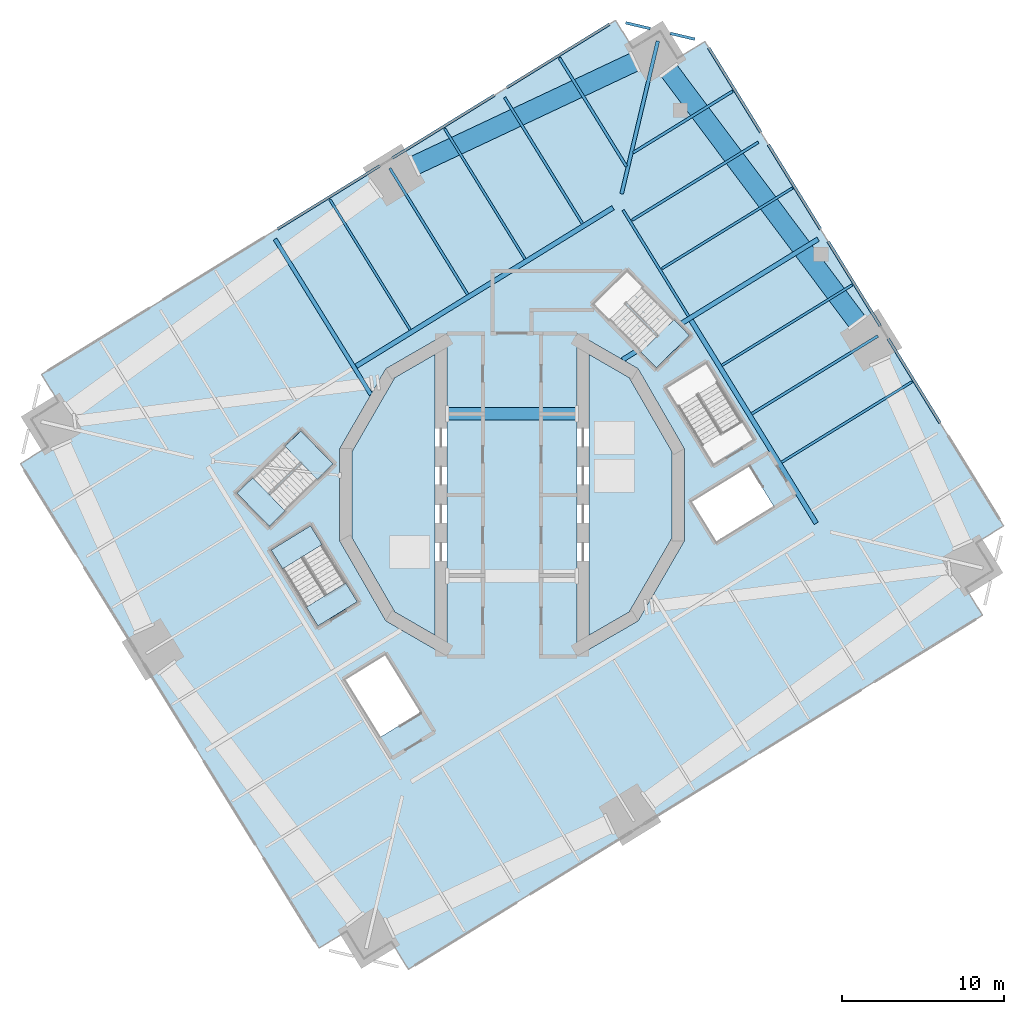
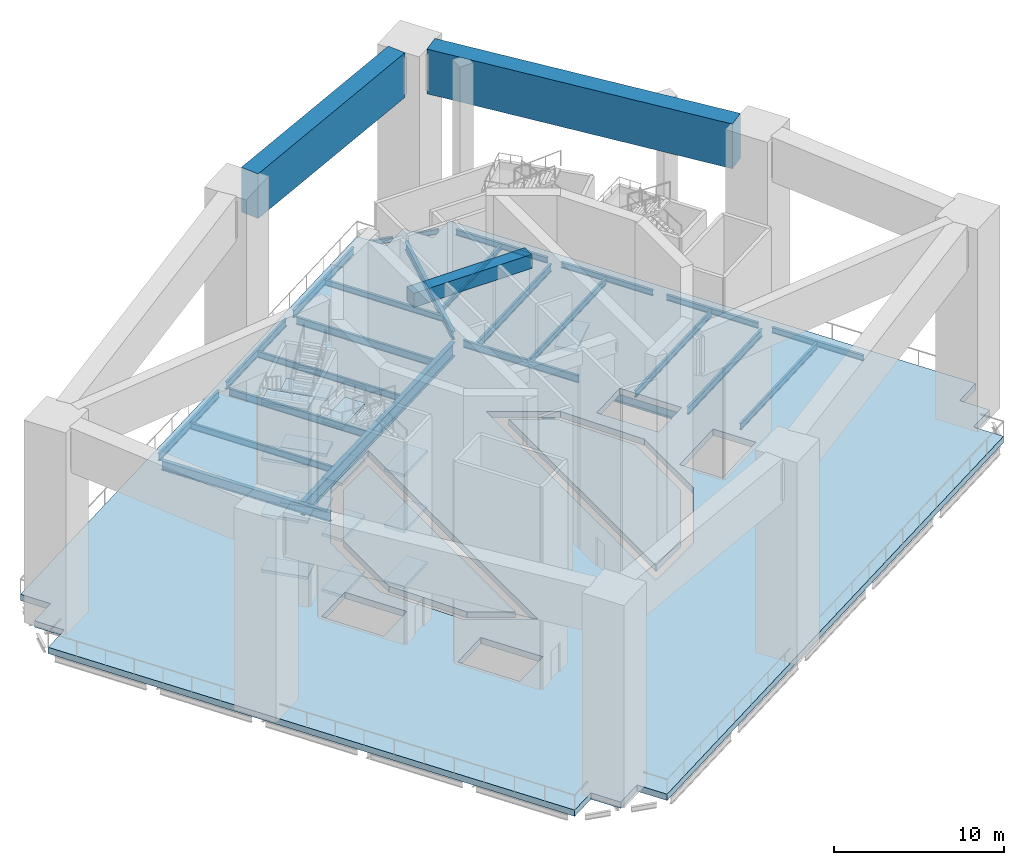
# One storey, part 2 of 15: 29 beams, 18 slabs, 3 elements without a shape of their own.
"""IFC4 building model written with IfcOpenShell, lengths in metres."""

import ifcopenshell
import ifcopenshell.guid

model = None  # the IFC model being written
_history = None  # IfcOwnerHistory: only IFC2X3 demands one
_inside = {}  # id of a spatial element -> (the spatial element, [elements in it])
_under = {}  # id of a project, library or spatial element -> (it, [spatial elements below it])
_declared = {}  # id of a project -> (the project, [libraries it declares])
_typed = {}  # id of a type object -> (the type object, [elements of that type])
_made_of = {}  # id of a material, layer set ... -> (it, [elements and type objects made of it])


def new_model(schema):
    """Start an empty IFC model of exactly this schema.

    Asked for "IFC4X3", IfcOpenShell would pick the latest addendum, in which some entities
    have other attributes; the version numbers below select the first issue.
    IFC2X3 requires an IfcOwnerHistory on every rooted entity: one is made here for all.
    """
    global model, _history
    if schema == "IFC4X3":
        model = ifcopenshell.file(schema_version=(4, 3, 0, 0))
    else:
        model = ifcopenshell.file(schema=schema)
    _inside.clear()
    _under.clear()
    _declared.clear()
    _typed.clear()
    _made_of.clear()
    _history = None
    if model.schema == "IFC2X3":
        org = make("IfcOrganization", Name="unknown")
        user = make(
            "IfcPersonAndOrganization",
            ThePerson=make("IfcPerson", FamilyName="unknown"),
            TheOrganization=org,
        )
        app = make(
            "IfcApplication",
            ApplicationDeveloper=org,
            Version="unknown",
            ApplicationFullName="unknown",
            ApplicationIdentifier="unknown",
        )
        _history = make(
            "IfcOwnerHistory",
            OwningUser=user,
            OwningApplication=app,
            ChangeAction="ADDED",
            CreationDate=0,
        )
    return model


def make(cls, **values):
    """One entity of the class cls with the attributes given. An attribute that is None is left unset."""
    return model.create_entity(
        cls, **{name: value for name, value in values.items() if value is not None}
    )


def rooted(cls, **values):
    """An entity with a GlobalId (a new one), such as an element, a storey or a relation."""
    return make(cls, GlobalId=ifcopenshell.guid.new(), OwnerHistory=_history, **values)


def si_unit(unit_type, name, prefix=None):
    """IfcSIUnit, for example si_unit("LENGTHUNIT", "METRE", prefix="MILLI")."""
    return make("IfcSIUnit", UnitType=unit_type, Prefix=prefix, Name=name)


def assignment(units):
    """IfcUnitAssignment: the units of a project."""
    return None if units is None else make("IfcUnitAssignment", Units=units)


def point(xyz):
    """IfcCartesianPoint."""
    return None if xyz is None else make("IfcCartesianPoint", Coordinates=xyz)


def direction(xyz):
    """IfcDirection."""
    return None if xyz is None else make("IfcDirection", DirectionRatios=xyz)


def frame(location, z_axis=None, x_axis=None):
    """IfcAxis2Placement3D, a coordinate frame: its origin and axes. An axis left out is left unset."""
    return make(
        "IfcAxis2Placement3D",
        Location=point(location),
        Axis=direction(z_axis),
        RefDirection=direction(x_axis),
    )


def frame_2d(location, x_axis=None):
    """IfcAxis2Placement2D, a coordinate frame in the plane: its origin and x axis."""
    return make(
        "IfcAxis2Placement2D", Location=point(location), RefDirection=direction(x_axis)
    )


def origin():
    """The frame at (0, 0, 0) with its axes left unset."""
    return frame((0.0, 0.0, 0.0))


def origin_2d():
    """The frame at (0, 0) in the plane with its x axis left unset."""
    return frame_2d((0.0, 0.0))


def place(relative_to, where):
    """IfcLocalPlacement: puts the frame where relative to a parent placement (None: the world)."""
    return make(
        "IfcLocalPlacement", PlacementRelTo=relative_to, RelativePlacement=where
    )


def context(
    kind, dimensions, precision=None, world=None, true_north=None, identifier=None
):
    """IfcGeometricRepresentationContext, for example the 3D "Model" context."""
    return make(
        "IfcGeometricRepresentationContext",
        ContextIdentifier=identifier,
        ContextType=kind,
        CoordinateSpaceDimension=dimensions,
        Precision=precision,
        WorldCoordinateSystem=world,
        TrueNorth=true_north,
    )


def subcontext(parent, identifier, kind, view, scale=None):
    """IfcGeometricRepresentationSubContext, for example "Body" below "Model"."""
    return make(
        "IfcGeometricRepresentationSubContext",
        ContextIdentifier=identifier,
        ContextType=kind,
        ParentContext=parent,
        TargetScale=scale,
        TargetView=view,
    )


def project(units=None, contexts=None):
    """IfcProject with its units and contexts."""
    return rooted(
        "IfcProject",
        Name="project",
        RepresentationContexts=contexts,
        UnitsInContext=assignment(units),
    )


def spatial(cls, under=None, at=None, **own):
    """A site, building, storey or space (cls), placed at a placement, below another one or the project."""
    s = rooted(cls, ObjectPlacement=at, **own)
    if under is not None:
        _under.setdefault(under.id(), (under, []))[1].append(s)
    return s


def polyline(points):
    """IfcPolyline through the points."""
    return make("IfcPolyline", Points=[point(p) for p in points])


def profile(cls, at=None, kind="AREA", **sizes):
    """A parametric profile (cls). Its sizes go by their IFC names, for example OverallWidth=200.0."""
    return make(cls, ProfileType=kind, Position=at, **sizes)


def rectangle(**sizes):
    """IfcRectangleProfileDef."""
    return profile("IfcRectangleProfileDef", **sizes)


def i_section(**sizes):
    """IfcIShapeProfileDef."""
    return profile("IfcIShapeProfileDef", **sizes)


def outline(outer, holes=None, kind="AREA"):
    """IfcArbitraryClosedProfileDef: a profile drawn as a closed curve; with holes, ...WithVoids."""
    if holes is None:
        return make("IfcArbitraryClosedProfileDef", ProfileType=kind, OuterCurve=outer)
    return make(
        "IfcArbitraryProfileDefWithVoids",
        ProfileType=kind,
        OuterCurve=outer,
        InnerCurves=holes,
    )


def extrude(swept, where, along, depth):
    """IfcExtrudedAreaSolid: the profile swept, set in the frame where, extruded along a direction by depth."""
    return make(
        "IfcExtrudedAreaSolid",
        SweptArea=swept,
        Position=where,
        ExtrudedDirection=direction(along),
        Depth=depth,
    )


def shape(context_of_items, identifier, shape_type, items):
    """IfcShapeRepresentation: the items that make up one representation, for example the "Body"."""
    return make(
        "IfcShapeRepresentation",
        ContextOfItems=context_of_items,
        RepresentationIdentifier=identifier,
        RepresentationType=shape_type,
        Items=items,
    )


def material(Name=None, Category=None):
    """IfcMaterial."""
    return make("IfcMaterial", Name=Name, Category=Category)


def layer(
    of_material, thickness, ventilated=None, Name=None, Category=None, Priority=None
):
    """IfcMaterialLayer: one layer of a wall or slab, of a material (None: an air gap)."""
    return make(
        "IfcMaterialLayer",
        Material=of_material,
        LayerThickness=thickness,
        IsVentilated=ventilated,
        Name=Name,
        Category=Category,
        Priority=Priority,
    )


def layer_set(layers, Name=None):
    """IfcMaterialLayerSet."""
    return make("IfcMaterialLayerSet", MaterialLayers=layers, LayerSetName=Name)


def material_profile(
    of_material, cross_section, Name=None, Category=None, Priority=None
):
    """IfcMaterialProfile: a cross section and its material."""
    return make(
        "IfcMaterialProfile",
        Name=Name,
        Material=of_material,
        Profile=cross_section,
        Priority=Priority,
        Category=Category,
    )


def profile_set(profiles, Name=None, composite=None):
    """IfcMaterialProfileSet."""
    return make(
        "IfcMaterialProfileSet",
        Name=Name,
        MaterialProfiles=profiles,
        CompositeProfile=composite,
    )


def made_of(thing, what):
    """Note that an element or type object is made of a material, layer set ...; save() writes the relation."""
    if what is not None:
        _made_of.setdefault(what.id(), (what, []))[1].append(thing)
    return thing


def type_object(cls, material=None, **own):
    """A type object (cls), such as IfcWallType, which elements share."""
    return made_of(rooted(cls, **own), material)


def element(
    cls,
    number,
    at=None,
    inside=None,
    cuts=None,
    type_object=None,
    material=None,
    context=None,
    identifier="Body",
    shape_type=None,
    held_by="IfcProductDefinitionShape",
    body=None,
    shapes=None,
    **own,
):
    """One element of the class cls, such as IfcWall. Its Tag is "e" and its number.

    at: its placement. inside: the storey or other place that contains it. cuts: it is an
    opening in that element (IfcRelVoidsElement). A single representation is given by context,
    identifier, shape_type and body (its items); several are given by shapes. held_by: the class
    of the entity that holds the representations. save() writes the other relations.
    """
    e = rooted(cls, Tag="e%d" % number, ObjectPlacement=at, **own)
    if body is not None:
        shapes = [shape(context, identifier, shape_type, body)]
    if shapes is not None:
        e.Representation = make(held_by, Representations=shapes)
    if inside is not None:
        _inside.setdefault(inside.id(), (inside, []))[1].append(e)
    if cuts is not None:
        rooted(
            "IfcRelVoidsElement", RelatingBuildingElement=cuts, RelatedOpeningElement=e
        )
    if type_object is not None:
        _typed.setdefault(type_object.id(), (type_object, []))[1].append(e)
    return made_of(e, material)


def aggregate(whole, parts):
    """IfcRelAggregates: a whole, such as a stair, and the parts it consists of."""
    return rooted("IfcRelAggregates", RelatingObject=whole, RelatedObjects=parts)


def save(model, path):
    """Write the relations noted so far, then the file.

    IfcRelAggregates (storeys below a building ...), IfcRelContainedInSpatialStructure (elements
    in a storey), IfcRelDefinesByType, IfcRelAssociatesMaterial and IfcRelDeclares: one each for
    every whole, place, type object, material and project.
    """
    for whole, parts in _under.values():
        aggregate(whole, parts)
    for where, things in _inside.values():
        rooted(
            "IfcRelContainedInSpatialStructure",
            RelatedElements=things,
            RelatingStructure=where,
        )
    for kind, things in _typed.values():
        rooted("IfcRelDefinesByType", RelatedObjects=things, RelatingType=kind)
    for what, things in _made_of.values():
        rooted("IfcRelAssociatesMaterial", RelatedObjects=things, RelatingMaterial=what)
    for by, libraries in _declared.values():
        rooted("IfcRelDeclares", RelatingContext=by, RelatedDefinitions=libraries)
    model.write(path)


model = new_model("IFC4")

# Units and contexts
model_context = context("Model", 3, precision=1e-05, world=origin(), true_north=direction((0.0, 1.0)))
body_context = subcontext(model_context, "Body", "Model", "MODEL_VIEW")
ifc_project = project(units=[si_unit("LENGTHUNIT", "METRE"), si_unit("AREAUNIT", "SQUARE_METRE"), si_unit("VOLUMEUNIT", "CUBIC_METRE"), si_unit("PLANEANGLEUNIT", "RADIAN"), si_unit("MASSUNIT", "GRAM", prefix="KILO")], contexts=[model_context])

# Site, building, storey
site_placement = place(None, origin())
site = spatial("IfcSite", under=ifc_project, at=site_placement, CompositionType="ELEMENT")
building_placement = place(site_placement, origin())
building = spatial("IfcBuilding", under=site, at=building_placement, Name="Cantera Rosa Tower", CompositionType="ELEMENT")
storey_placement = place(building_placement, frame((0.0, 0.0, 189.39990234375)))
storey = spatial("IfcBuildingStorey", under=building, at=storey_placement, Name="L42", CompositionType="ELEMENT", Elevation=189.39990234375)

# Beams
ifc_material_1 = material(Name="Concrete C60/75", Category="concrete")
ifc_material_profile_1 = material_profile(ifc_material_1, rectangle(XDim=0.800048828125, YDim=1.0, at=origin_2d()), Name="RC COUPLING BEAM RC800X1000 C60/75")
ifc_profile_set_1 = profile_set([ifc_material_profile_1], Name="Concrete C60/75")
beam_type_1 = type_object("IfcBeamType", Name="RC COUPLING BEAM RC800X1000 C60/75", PredefinedType="BEAM", material=ifc_profile_set_1)
beam_1_placement = place(storey_placement, frame((-4.0, 5.0, 14.0), z_axis=(1.0, 0.0, 0.0), x_axis=(0.0, 1.0, 0.0)))
element("IfcBeam", 1, at=beam_1_placement, inside=storey, type_object=beam_type_1, Name="CPL-L42-2", PredefinedType="BEAM", context=body_context, shape_type="SweptSolid", body=[
    extrude(rectangle(XDim=0.800048828125, YDim=1.0, at=origin_2d()), origin(), (0.0, 0.0, 1.0), 8.0),
])
ifc_material_2 = material(Name="Concrete C70/85", Category="concrete")
ifc_material_profile_2 = material_profile(ifc_material_2, rectangle(XDim=1.199951171875, YDim=3.199951171875, at=origin_2d()), Name="RC PORTAL TRANSFER GIRDER RC1200X3200 C70/85")
ifc_profile_set_2 = profile_set([ifc_material_profile_2], Name="Concrete C70/85")
beam_type_2 = type_object("IfcBeamType", Name="RC PORTAL TRANSFER GIRDER RC1200X3200 C70/85", PredefinedType="BEAM", material=ifc_profile_set_2)
beam_2_placement = place(storey_placement, frame((21.33251953125, 10.61376953125, 12.900146484375), z_axis=(-0.599525141949, 0.800355923431, 0.0), x_axis=(-0.800355923431, -0.599525141949, 0.0)))
element("IfcBeam", 2, at=beam_2_placement, inside=storey, type_object=beam_type_2, Name="PGB-L42-5", PredefinedType="BEAM", context=body_context, shape_type="SweptSolid", body=[
    extrude(rectangle(XDim=1.199951171875, YDim=3.199951171875, at=origin_2d()), origin(), (0.0, 0.0, 1.0), 19.500244140625),
])
beam_3_placement = place(storey_placement, frame((7.611083984375, 26.726318359375, 12.900146484375), z_axis=(-0.904706200569, -0.426036020369, 0.0), x_axis=(0.426036020369, -0.904706200569, 0.0)))
element("IfcBeam", 3, at=beam_3_placement, inside=storey, type_object=beam_type_2, Name="PGB-L42-6", PredefinedType="BEAM", context=body_context, shape_type="SweptSolid", body=[
    extrude(rectangle(XDim=1.199951171875, YDim=3.199951171875, at=origin_2d()), origin(), (0.0, 0.0, 1.0), 15.102783203125),
])
ifc_material_3 = material(Name="Steel ASTM A992 (Fy 345 MPa)", Category="steel")
ifc_material_profile_3 = material_profile(ifc_material_3, i_section(OverallWidth=0.300048828125, OverallDepth=0.990966796875, WebThickness=0.0166015625, FlangeThickness=0.030517578125, FilletRadius=0.030029296875, at=origin_2d()), Name="W1000X272")
ifc_profile_set_3 = profile_set([ifc_material_profile_3], Name="Steel ASTM A992 (Fy 345 MPa)")
beam_type_3 = type_object("IfcBeamType", Name="STEEL BEAM W1000X272", PredefinedType="BEAM", material=ifc_profile_set_3)
beam_4_placement = place(storey_placement, frame((18.767822265625, -1.75927734375, -0.9453125), z_axis=(-0.524974072618, 0.851118219215, 0.0), x_axis=(-0.851118219215, -0.524974072618, 0.0)))
element("IfcBeam", 4, at=beam_4_placement, inside=storey, type_object=beam_type_3, Name="RB-Z3-05 L42", PredefinedType="BEAM", context=body_context, shape_type="SweptSolid", body=[
    extrude(i_section(OverallWidth=0.300048828125, OverallDepth=0.990966796875, WebThickness=0.0166015625, FlangeThickness=0.030517578125, FilletRadius=0.030029296875, at=origin_2d()), origin(), (0.0, 0.0, 1.0), 14.7099609375),
])
ifc_material_4 = material(Name="Steel ASTM A992 (Fy 345 MPa)", Category="steel")
ifc_material_profile_4 = material_profile(ifc_material_4, i_section(OverallWidth=0.302001953125, OverallDepth=1.010009765625, WebThickness=0.02099609375, FlangeThickness=0.0400390625, FilletRadius=0.030029296875, at=origin_2d()), Name="W1000X350")
ifc_profile_set_4 = profile_set([ifc_material_profile_4], Name="Steel ASTM A992 (Fy 345 MPa)")
beam_type_4 = type_object("IfcBeamType", Name="STEEL BEAM W1000X350", PredefinedType="BEAM", material=ifc_profile_set_4)
beam_5_placement = place(storey_placement, frame((-9.607666015625, 7.93798828125, -0.954833984375), z_axis=(0.851118702028, 0.524973289852, 0.0), x_axis=(-0.524973289852, 0.851118702028, 0.0)))
element("IfcBeam", 5, at=beam_5_placement, inside=storey, type_object=beam_type_4, Name="RB-Z3-02 L42", PredefinedType="BEAM", context=body_context, shape_type="SweptSolid", body=[
    extrude(i_section(OverallWidth=0.302001953125, OverallDepth=1.010009765625, WebThickness=0.02099609375, FlangeThickness=0.0400390625, FilletRadius=0.030029296875, at=origin_2d()), origin(), (0.0, 0.0, 1.0), 18.610107421875),
])
ifc_material_5 = material(Name="Steel ASTM A992 (Fy 345 MPa)", Category="steel")
ifc_material_profile_5 = material_profile(ifc_material_5, i_section(OverallWidth=0.166015625, OverallDepth=0.528076171875, WebThickness=0.009765625, FlangeThickness=0.013671875, FilletRadius=0.0126953125, at=origin_2d()), Name="W530X74")
ifc_profile_set_5 = profile_set([ifc_material_profile_5], Name="Steel ASTM A992 (Fy 345 MPa)")
beam_type_5 = type_object("IfcBeamType", Name="STEEL BEAM W530X74", PredefinedType="BEAM", material=ifc_profile_set_5)
for number, where, z_axis, x_axis, name in (
    (6, (22.5673828125, 9.795654296875, -0.7138671875), (-0.851123779764, -0.524965057427, 0.0), (0.524965057427, -0.851123779764, 0.0), "G-Z3-02 L42"),
    (7, (15.19677734375, 21.745361328125, -0.7138671875), (-0.851123779764, -0.524965057427, 0.0), (0.524965057427, -0.851123779764, 0.0), "G-Z3-04 L42"),
):
    element("IfcBeam", number, at=place(storey_placement, frame(where, z_axis=z_axis, x_axis=x_axis)), inside=storey, type_object=beam_type_5, Name=name, PredefinedType="BEAM", context=body_context, shape_type="SweptSolid", body=[
        extrude(i_section(OverallWidth=0.166015625, OverallDepth=0.528076171875, WebThickness=0.009765625, FlangeThickness=0.013671875, FilletRadius=0.0126953125, at=origin_2d()), origin(), (0.0, 0.0, 1.0), 9.150146484375),
    ])
beam_6_placement = place(storey_placement, frame((-0.455078125, 24.51025390625, -0.7138671875), z_axis=(0.524976979362, -0.851116426313, 0.0), x_axis=(0.851116426313, 0.524976979362, 0.0)))
element("IfcBeam", 8, at=beam_6_placement, inside=storey, type_object=beam_type_5, Name="G-Z3-05 L42", PredefinedType="BEAM", context=body_context, shape_type="SweptSolid", body=[
    extrude(i_section(OverallWidth=0.166015625, OverallDepth=0.528076171875, WebThickness=0.009765625, FlangeThickness=0.013671875, FilletRadius=0.0126953125, at=origin_2d()), origin(), (0.0, 0.0, 1.0), 9.14990234375),
])
beam_7_placement = place(storey_placement, frame((-7.536376953125, 20.142578125, -0.7138671875), z_axis=(0.524965057427, -0.851123779764, 0.0), x_axis=(0.851123779764, 0.524965057427, 0.0)))
element("IfcBeam", 9, at=beam_7_placement, inside=storey, type_object=beam_type_5, Name="G-Z3-06 L42", PredefinedType="BEAM", context=body_context, shape_type="SweptSolid", body=[
    extrude(i_section(OverallWidth=0.166015625, OverallDepth=0.528076171875, WebThickness=0.009765625, FlangeThickness=0.013671875, FilletRadius=0.0126953125, at=origin_2d()), origin(), (0.0, 0.0, 1.0), 9.150146484375),
])
beam_8_placement = place(storey_placement, frame((10.887939453125, 11.015869140625, -0.7138671875), z_axis=(-0.52497571981, 0.851117203216, 0.0), x_axis=(-0.851117203216, -0.52497571981, 0.0)))
element("IfcBeam", 10, at=beam_8_placement, inside=storey, type_object=beam_type_5, Name="RB-Z3-06 L42", PredefinedType="BEAM", context=body_context, shape_type="SweptSolid", body=[
    extrude(i_section(OverallWidth=0.166015625, OverallDepth=0.528076171875, WebThickness=0.009765625, FlangeThickness=0.013671875, FilletRadius=0.0126953125, at=origin_2d()), origin(), (0.0, 0.0, 1.0), 7.690185546875),
])
ifc_material_6 = material(Name="Steel ASTM A992 (Fy 345 MPa)", Category="steel")
ifc_material_profile_6 = material_profile(ifc_material_6, i_section(OverallWidth=0.22802734375, OverallDepth=0.60205078125, WebThickness=0.010498046875, FlangeThickness=0.014892578125, FilletRadius=0.0126953125, at=origin_2d()), Name="W610X101")
ifc_profile_set_6 = profile_set([ifc_material_profile_6], Name="Steel ASTM A992 (Fy 345 MPa)")
beam_type_6 = type_object("IfcBeamType", Name="STEEL BEAM W610X101", PredefinedType="BEAM", material=ifc_profile_set_6)
beam_9_placement = place(storey_placement, frame((8.995361328125, 27.989501953125, -0.7509765625), z_axis=(-0.230622120091, -0.973043389436, 0.0), x_axis=(0.973043389436, -0.230622120091, 0.0)))
element("IfcBeam", 11, at=beam_9_placement, inside=storey, type_object=beam_type_6, Name="CB-Z3-01 L42", PredefinedType="BEAM", context=body_context, shape_type="SweptSolid", body=[
    extrude(i_section(OverallWidth=0.22802734375, OverallDepth=0.60205078125, WebThickness=0.010498046875, FlangeThickness=0.014892578125, FilletRadius=0.0126953125, at=origin_2d()), origin(), (0.0, 0.0, 1.0), 9.6875),
])
ifc_material_7 = material(Name="Steel ASTM A992 (Fy 345 MPa)", Category="steel")
ifc_material_profile_7 = material_profile(ifc_material_7, i_section(OverallWidth=0.25390625, OverallDepth=0.677978515625, WebThickness=0.01171875, FlangeThickness=0.016357421875, FilletRadius=0.01513671875, at=origin_2d()), Name="W690X125")
ifc_profile_set_7 = profile_set([ifc_material_profile_7], Name="Steel ASTM A992 (Fy 345 MPa)")
beam_type_7 = type_object("IfcBeamType", Name="STEEL BEAM W690X125", PredefinedType="BEAM", material=ifc_profile_set_7)
beam_10_placement = place(storey_placement, frame((-14.61767578125, 15.774658203125, -0.788818359375), z_axis=(0.524984160378, -0.85111199695, 0.0), x_axis=(0.85111199695, 0.524984160378, 0.0)))
element("IfcBeam", 12, at=beam_10_placement, inside=storey, type_object=beam_type_7, Name="G-Z3-07 L42", PredefinedType="BEAM", context=body_context, shape_type="SweptSolid", body=[
    extrude(i_section(OverallWidth=0.25390625, OverallDepth=0.677978515625, WebThickness=0.01171875, FlangeThickness=0.016357421875, FilletRadius=0.01513671875, at=origin_2d()), origin(), (0.0, 0.0, 1.0), 11.271728515625),
])
ifc_material_8 = material(Name="Steel ASTM A992 (Fy 345 MPa)", Category="steel")
ifc_material_profile_8 = material_profile(ifc_material_8, i_section(OverallWidth=0.2919921875, OverallDepth=0.8359375, WebThickness=0.013916015625, FlangeThickness=0.018798828125, FilletRadius=0.017822265625, at=origin_2d()), Name="W840X176")
ifc_profile_set_8 = profile_set([ifc_material_profile_8], Name="Steel ASTM A992 (Fy 345 MPa)")
beam_type_8 = type_object("IfcBeamType", Name="STEEL BEAM W840X176", PredefinedType="BEAM", material=ifc_profile_set_8)
beam_11_placement = place(storey_placement, frame((18.882080078125, 15.7705078125, -0.867919921875), z_axis=(-0.8511231456, -0.524966085595, 0.0), x_axis=(0.524966085595, -0.8511231456, 0.0)))
element("IfcBeam", 13, at=beam_11_placement, inside=storey, type_object=beam_type_8, Name="G-Z3-03 L42", PredefinedType="BEAM", context=body_context, shape_type="SweptSolid", body=[
    extrude(i_section(OverallWidth=0.2919921875, OverallDepth=0.8359375, WebThickness=0.013916015625, FlangeThickness=0.018798828125, FilletRadius=0.017822265625, at=origin_2d()), origin(), (0.0, 0.0, 1.0), 14.17138671875),
])
ifc_material_9 = material(Name="Steel ASTM A992 (Fy 345 MPa)", Category="steel")
ifc_material_profile_9 = material_profile(ifc_material_9, i_section(OverallWidth=0.1708984375, OverallDepth=0.35595703125, WebThickness=0.00732421875, FlangeThickness=0.01171875, FilletRadius=0.010009765625, at=origin_2d()), Name="W360X51")
ifc_profile_set_9 = profile_set([ifc_material_profile_9], Name="Steel ASTM A992 (Fy 345 MPa)")
beam_type_9 = type_object("IfcBeamType", Name="STEEL JOIST W360X51", PredefinedType="JOIST", material=ifc_profile_set_9)
beam_12_placement = place(storey_placement, frame((13.609375, 24.890380859375, -0.6279296875), z_axis=(-0.851109089911, -0.524988873283, 0.0), x_axis=(0.524988873283, -0.851109089911, 0.0)))
element("IfcBeam", 14, at=beam_12_placement, inside=storey, type_object=beam_type_9, Name="B-Z3-05 L42", PredefinedType="JOIST", context=body_context, shape_type="SweptSolid", body=[
    extrude(i_section(OverallWidth=0.1708984375, OverallDepth=0.35595703125, WebThickness=0.00732421875, FlangeThickness=0.01171875, FilletRadius=0.010009765625, at=origin_2d()), origin(), (0.0, 0.0, 1.0), 7.2099609375),
])
ifc_material_10 = material(Name="Steel ASTM A992 (Fy 345 MPa)", Category="steel")
ifc_material_profile_10 = material_profile(ifc_material_10, i_section(OverallWidth=0.177978515625, OverallDepth=0.406005859375, WebThickness=0.0078125, FlangeThickness=0.0126953125, FilletRadius=0.01025390625, at=origin_2d()), Name="W410X60")
ifc_profile_set_10 = profile_set([ifc_material_profile_10], Name="Steel ASTM A992 (Fy 345 MPa)")
beam_type_10 = type_object("IfcBeamType", Name="STEEL JOIST W410X60", PredefinedType="JOIST", material=ifc_profile_set_10)
beam_13_placement = place(storey_placement, frame((2.927978515625, 26.949462890625, -0.65283203125), z_axis=(0.524994840515, -0.85110540912, 0.0), x_axis=(0.85110540912, 0.524994840515, 0.0)))
element("IfcBeam", 15, at=beam_13_placement, inside=storey, type_object=beam_type_10, Name="B-Z3-06 L42", PredefinedType="JOIST", context=body_context, shape_type="SweptSolid", body=[
    extrude(i_section(OverallWidth=0.177978515625, OverallDepth=0.406005859375, WebThickness=0.0078125, FlangeThickness=0.0126953125, FilletRadius=0.01025390625, at=origin_2d()), origin(), (0.0, 0.0, 1.0), 7.860107421875),
])
ifc_material_11 = material(Name="Steel ASTM A992 (Fy 345 MPa)", Category="steel")
ifc_material_profile_11 = material_profile(ifc_material_11, i_section(OverallWidth=0.154052734375, OverallDepth=0.4599609375, WebThickness=0.009033203125, FlangeThickness=0.015380859375, FilletRadius=0.01025390625, at=origin_2d()), Name="W460X68")
ifc_profile_set_11 = profile_set([ifc_material_profile_11], Name="Steel ASTM A992 (Fy 345 MPa)")
beam_type_11 = type_object("IfcBeamType", Name="STEEL JOIST W460X68", PredefinedType="JOIST", material=ifc_profile_set_11)
for number, where, z_axis, x_axis, name in (
    (16, (24.665283203125, 6.9658203125, -0.679931640625), (-0.851118539758, -0.524973552935, 0.0), (0.524973552935, -0.851118539758, 0.0), "B-Z3-02 L42"),
    (17, (20.97998046875, 12.940673828125, -0.679931640625), (-0.851118539758, -0.524973552935, 0.0), (0.524973552935, -0.851118539758, 0.0), "B-Z3-03 L42"),
    (18, (17.294677734375, 18.91552734375, -0.679931640625), (-0.851118539758, -0.524973552935, 0.0), (0.524973552935, -0.851118539758, 0.0), "B-Z3-04 L42"),
):
    element("IfcBeam", number, at=place(storey_placement, frame(where, z_axis=z_axis, x_axis=x_axis)), inside=storey, type_object=beam_type_11, Name=name, PredefinedType="JOIST", context=body_context, shape_type="SweptSolid", body=[
        extrude(i_section(OverallWidth=0.154052734375, OverallDepth=0.4599609375, WebThickness=0.009033203125, FlangeThickness=0.015380859375, FilletRadius=0.01025390625, at=origin_2d()), origin(), (0.0, 0.0, 1.0), 9.449951171875),
    ])
beam_14_placement = place(storey_placement, frame((-4.1533203125, 22.581787109375, -0.679931640625), z_axis=(0.524980724235, -0.851114116427, 0.0), x_axis=(0.851114116427, 0.524980724235, 0.0)))
element("IfcBeam", 19, at=beam_14_placement, inside=storey, type_object=beam_type_11, Name="B-Z3-07 L42", PredefinedType="JOIST", context=body_context, shape_type="SweptSolid", body=[
    extrude(i_section(OverallWidth=0.154052734375, OverallDepth=0.4599609375, WebThickness=0.009033203125, FlangeThickness=0.015380859375, FilletRadius=0.01025390625, at=origin_2d()), origin(), (0.0, 0.0, 1.0), 9.4501953125),
])
beam_15_placement = place(storey_placement, frame((-11.234619140625, 18.2138671875, -0.679931640625), z_axis=(0.524992267726, -0.85110699611, 0.0), x_axis=(0.85110699611, 0.524992267726, 0.0)))
element("IfcBeam", 20, at=beam_15_placement, inside=storey, type_object=beam_type_11, Name="B-Z3-08 L42", PredefinedType="JOIST", context=body_context, shape_type="SweptSolid", body=[
    extrude(i_section(OverallWidth=0.154052734375, OverallDepth=0.4599609375, WebThickness=0.009033203125, FlangeThickness=0.015380859375, FilletRadius=0.01025390625, at=origin_2d()), origin(), (0.0, 0.0, 1.0), 9.449951171875),
])
ifc_material_12 = material(Name="Steel ASTM A992 (Fy 345 MPa)", Category="steel")
ifc_material_profile_12 = material_profile(ifc_material_12, i_section(OverallWidth=0.1708984375, OverallDepth=0.35595703125, WebThickness=0.00732421875, FlangeThickness=0.01171875, FilletRadius=0.010009765625, at=origin_2d()), Name="W360X51")
ifc_profile_set_12 = profile_set([ifc_material_profile_12], Name="Steel ASTM A992 (Fy 345 MPa)")
beam_type_12 = type_object("IfcBeamType", Name="STEEL SPANDREL BEAM W360X51", PredefinedType="SPANDREL", material=ifc_profile_set_12)
for number, where, z_axis, x_axis, name in (
    (21, (11.275146484375, 28.103271484375, -0.6279296875), (-0.973059906546, 0.230552419793, 0.0), (-0.230552419793, -0.973059906546, 0.0), "EB-Z3-06 L42"),
    (22, (8.52294921875, 28.755615234375, -0.6279296875), (-0.973059906546, 0.230552419793, 0.0), (-0.230552419793, -0.973059906546, 0.0), "EB-Z3-07 L42"),
):
    element("IfcBeam", number, at=place(storey_placement, frame(where, z_axis=z_axis, x_axis=x_axis)), inside=storey, type_object=beam_type_12, Name=name, PredefinedType="SPANDREL", context=body_context, shape_type="SweptSolid", body=[
        extrude(i_section(OverallWidth=0.1708984375, OverallDepth=0.35595703125, WebThickness=0.00732421875, FlangeThickness=0.01171875, FilletRadius=0.010009765625, at=origin_2d()), origin(), (0.0, 0.0, 1.0), 1.5556640625),
    ])
ifc_material_13 = material(Name="Steel ASTM A992 (Fy 345 MPa)", Category="steel")
ifc_material_profile_13 = material_profile(ifc_material_13, i_section(OverallWidth=0.177978515625, OverallDepth=0.406005859375, WebThickness=0.0078125, FlangeThickness=0.0126953125, FilletRadius=0.01025390625, at=origin_2d()), Name="W410X60")
ifc_profile_set_13 = profile_set([ifc_material_profile_13], Name="Steel ASTM A992 (Fy 345 MPa)")
beam_type_13 = type_object("IfcBeamType", Name="STEEL SPANDREL BEAM W410X60", PredefinedType="SPANDREL", material=ifc_profile_set_13)
for number, where, z_axis, x_axis, name in (
    (23, (26.3994140625, 4.440185546875, -0.65283203125), (-0.524987447654, 0.851109969279, 0.0), (-0.851109969279, -0.524987447654, 0.0), "EB-Z3-02 L42"),
    (24, (22.714111328125, 10.4150390625, -0.65283203125), (-0.524987447654, 0.851109969279, 0.0), (-0.851109969279, -0.524987447654, 0.0), "EB-Z3-03 L42"),
    (25, (19.02880859375, 16.389892578125, -0.65283203125), (-0.524987447654, 0.851109969279, 0.0), (-0.851109969279, -0.524987447654, 0.0), "EB-Z3-04 L42"),
    (26, (15.343505859375, 22.36474609375, -0.65283203125), (-0.524987447654, 0.851109969279, 0.0), (-0.851109969279, -0.524987447654, 0.0), "EB-Z3-05 L42"),
):
    element("IfcBeam", number, at=place(storey_placement, frame(where, z_axis=z_axis, x_axis=x_axis)), inside=storey, type_object=beam_type_13, Name=name, PredefinedType="SPANDREL", context=body_context, shape_type="SweptSolid", body=[
        extrude(i_section(OverallWidth=0.177978515625, OverallDepth=0.406005859375, WebThickness=0.0078125, FlangeThickness=0.0126953125, FilletRadius=0.01025390625, at=origin_2d()), origin(), (0.0, 0.0, 1.0), 6.119873046875),
    ])
ifc_material_14 = material(Name="Steel ASTM A992 (Fy 345 MPa)", Category="steel")
ifc_material_profile_14 = material_profile(ifc_material_14, i_section(OverallWidth=0.166015625, OverallDepth=0.528076171875, WebThickness=0.009765625, FlangeThickness=0.013671875, FilletRadius=0.0126953125, at=origin_2d()), Name="W530X74")
ifc_profile_set_14 = profile_set([ifc_material_profile_14], Name="Steel ASTM A992 (Fy 345 MPa)")
beam_type_14 = type_object("IfcBeamType", Name="STEEL SPANDREL BEAM W530X74", PredefinedType="SPANDREL", material=ifc_profile_set_14)
for number, where, z_axis, x_axis, name in (
    (27, (6.007080078125, 29.02490234375, -0.7138671875), (-0.851111085575, -0.524985637909, 0.0), (0.524985637909, -0.851111085575, 0.0), "EB-Z3-08 L42"),
    (28, (-1.07421875, 24.656982421875, -0.7138671875), (-0.85112578684, -0.524961803349, 0.0), (0.524961803349, -0.85112578684, 0.0), "EB-Z3-09 L42"),
    (29, (-8.155517578125, 20.289306640625, -0.7138671875), (-0.851111085575, -0.524985637909, 0.0), (0.524985637909, -0.851111085575, 0.0), "EB-Z3-10 L42"),
):
    element("IfcBeam", number, at=place(storey_placement, frame(where, z_axis=z_axis, x_axis=x_axis)), inside=storey, type_object=beam_type_14, Name=name, PredefinedType="SPANDREL", context=body_context, shape_type="SweptSolid", body=[
        extrude(i_section(OverallWidth=0.166015625, OverallDepth=0.528076171875, WebThickness=0.009765625, FlangeThickness=0.013671875, FilletRadius=0.0126953125, at=origin_2d()), origin(), (0.0, 0.0, 1.0), 7.420166015625),
    ])

# Slabs
ifc_material_15 = material(Name="Concrete C50/60", Category="concrete")
ifc_layer_1 = layer(ifc_material_15, 0.449951171875)
ifc_layer_set_1 = layer_set([ifc_layer_1], Name="RC TRANSFER PLATE 450 C50/60")
slab_type_1 = type_object("IfcSlabType", Name="RC TRANSFER PLATE 450 C50/60", PredefinedType="FLOOR", material=ifc_layer_set_1)
slab_1_placement = place(storey_placement, frame((0.0, 0.0, -0.449951171875)))
element("IfcSlab", 30, at=slab_1_placement, inside=storey, type_object=slab_type_1, Name="SLAB L42 floor 1", PredefinedType="FLOOR", context=body_context, shape_type="SweptSolid", body=[
    extrude(outline(polyline([(-4.75, 8.660400390625), (-4.75, -8.660400390625), (-7.22900390625, -7.22900390625), (-9.875244140625, -2.64599609375), (-9.875244140625, 2.64599609375), (-7.22900390625, 7.22900390625), (-4.75, 8.660400390625)])), origin(), (0.0, 0.0, 1.0), 0.449951171875),
])
slab_2_placement = place(storey_placement, frame((0.0, 0.0, -0.449951171875)))
element("IfcSlab", 31, at=slab_2_placement, inside=storey, type_object=slab_type_1, Name="SLAB L42 floor 2", PredefinedType="FLOOR", context=body_context, shape_type="SweptSolid", body=[
    extrude(outline(polyline([(29.668701171875, -4.669921875), (27.966552734375, -5.7197265625), (29.0166015625, -7.422119140625), (-6.389892578125, -29.260986328125), (-7.43994140625, -27.558837890625), (-9.14208984375, -28.60888671875), (-10.192138671875, -26.906494140625), (-11.894287109375, -27.95654296875), (-30.321044921875, 1.917724609375), (-28.618896484375, 2.967529296875), (-29.668701171875, 4.669921875), (-27.966552734375, 5.7197265625), (-29.0166015625, 7.422119140625), (6.389892578125, 29.260986328125), (7.43994140625, 27.558837890625), (9.14208984375, 28.60888671875), (10.192138671875, 26.906494140625), (11.894287109375, 27.95654296875), (30.321044921875, -1.917724609375), (28.618896484375, -2.967529296875), (29.668701171875, -4.669921875)]), holes=[polyline([(-10.256591796875, -11.407470703125), (-8.084228515625, -14.929443359375), (-5.658447265625, -13.433349609375), (-7.830810546875, -9.911376953125), (-10.256591796875, -11.407470703125)]), polyline([(-12.430908203125, -1.911376953125), (-14.8564453125, -3.407470703125), (-12.68408203125, -6.929443359375), (-10.258544921875, -5.433349609375), (-12.430908203125, -1.911376953125)]), polyline([(11.111328125, -0.430908203125), (12.607421875, -2.8564453125), (16.12939453125, -0.68408203125), (14.63330078125, 1.741455078125), (11.111328125, -0.430908203125)]), polyline([(10.625244140625, 2.846923828125), (7.7783203125, 7.7783203125), (4.0, 9.95947265625), (4.0, -9.95947265625), (7.7783203125, -7.7783203125), (10.625244140625, -2.846923828125), (10.625244140625, 2.846923828125)]), polyline([(-10.625244140625, 2.846923828125), (-10.625244140625, -2.846923828125), (-7.7783203125, -7.7783203125), (-4.0, -9.95947265625), (-4.0, 9.95947265625), (-7.7783203125, 7.7783203125), (-10.625244140625, 2.846923828125)]), polyline([(11.96923828125, 8.088623046875), (9.54345703125, 6.592529296875), (11.7158203125, 3.070556640625), (14.1416015625, 4.566650390625), (11.96923828125, 8.088623046875)])]), origin(), (0.0, 0.0, 1.0), 0.449951171875),
])
slab_3_placement = place(storey_placement, frame((0.0, 0.0, -0.449951171875)))
element("IfcSlab", 32, at=slab_3_placement, inside=storey, type_object=slab_type_1, Name="SLAB L42 floor 3", PredefinedType="FLOOR", context=body_context, shape_type="SweptSolid", body=[
    extrude(outline(polyline([(4.75, 8.660400390625), (7.22900390625, 7.22900390625), (9.875244140625, 2.64599609375), (9.875244140625, -2.64599609375), (7.22900390625, -7.22900390625), (4.75, -8.660400390625), (4.75, 8.660400390625)])), origin(), (0.0, 0.0, 1.0), 0.449951171875),
])

# Stair, slab
ifc_material_16 = material(Name="Concrete C35/45", Category="concrete")
stair_type = type_object("IfcStairType", Name="EXIT STAIR 1350 DOGLEG", PredefinedType="HALF_TURN_STAIR", material=ifc_material_16)
stair_1_placement = place(storey_placement, origin())
stair_1 = element("IfcStair", 33, at=stair_1_placement, inside=storey, type_object=stair_type, Name="L42 ST-42", PredefinedType="HALF_TURN_STAIR")
ifc_material_17 = material(Name="Concrete C35/45", Category="concrete")
ifc_layer_2 = layer(ifc_material_17, 0.199951171875)
ifc_layer_set_2 = layer_set([ifc_layer_2], Name="STAIR LANDING 200")
slab_type_2 = type_object("IfcSlabType", Name="STAIR LANDING 200", PredefinedType="LANDING", material=ifc_layer_set_2)
slab_4_placement = place(storey_placement, frame((0.0, 0.0, 3.800048828125)))
slab_4 = element("IfcSlab", 34, at=slab_4_placement, type_object=slab_type_2, Name="ST-42 landing 2", PredefinedType="LANDING", context=body_context, shape_type="SweptSolid", body=[
    extrude(outline(polyline([(10.941162109375, 9.828857421875), (9.9892578125, 10.802978515625), (7.95068359375, 8.811279296875), (8.902587890625, 7.837158203125), (10.941162109375, 9.828857421875)])), origin(), (0.0, 0.0, 1.0), 0.199951171875),
])
aggregate(stair_1, [slab_4])

# Stair, slabs
stair_2_placement = place(storey_placement, origin())
stair_2 = element("IfcStair", 35, at=stair_2_placement, inside=storey, type_object=stair_type, Name="L42 ST-43", PredefinedType="HALF_TURN_STAIR")
slab_5_placement = place(storey_placement, frame((0.0, 0.0, 1.800048828125)))
slab_5 = element("IfcSlab", 36, at=slab_5_placement, type_object=slab_type_2, Name="ST-43 landing 1", PredefinedType="LANDING", context=body_context, shape_type="SweptSolid", body=[
    extrude(outline(polyline([(-15.98876953125, 1.04931640625), (-16.962890625, 0.097412109375), (-14.97119140625, -1.941162109375), (-13.9970703125, -0.9892578125), (-15.98876953125, 1.04931640625)])), origin(), (0.0, 0.0, 1.0), 0.199951171875),
])
slab_6_placement = place(storey_placement, frame((0.0, 0.0, 3.800048828125)))
slab_6 = element("IfcSlab", 37, at=slab_6_placement, type_object=slab_type_2, Name="ST-43 landing 2", PredefinedType="LANDING", context=body_context, shape_type="SweptSolid", body=[
    extrude(outline(polyline([(-13.02880859375, 3.941162109375), (-14.0029296875, 2.9892578125), (-12.01123046875, 0.95068359375), (-11.037109375, 1.902587890625), (-13.02880859375, 3.941162109375)])), origin(), (0.0, 0.0, 1.0), 0.199951171875),
])
slab_7_placement = place(storey_placement, frame((0.0, 0.0, 5.800048828125)))
slab_7 = element("IfcSlab", 38, at=slab_7_placement, type_object=slab_type_2, Name="ST-43 landing 3", PredefinedType="LANDING", context=body_context, shape_type="SweptSolid", body=[
    extrude(outline(polyline([(-15.98876953125, 1.04931640625), (-16.962890625, 0.097412109375), (-14.97119140625, -1.941162109375), (-13.9970703125, -0.9892578125), (-15.98876953125, 1.04931640625)])), origin(), (0.0, 0.0, 1.0), 0.199951171875),
])
slab_8_placement = place(storey_placement, frame((0.0, 0.0, 7.800048828125)))
slab_8 = element("IfcSlab", 39, at=slab_8_placement, type_object=slab_type_2, Name="ST-43 landing 4", PredefinedType="LANDING", context=body_context, shape_type="SweptSolid", body=[
    extrude(outline(polyline([(-13.02880859375, 3.941162109375), (-14.0029296875, 2.9892578125), (-12.01123046875, 0.95068359375), (-11.037109375, 1.902587890625), (-13.02880859375, 3.941162109375)])), origin(), (0.0, 0.0, 1.0), 0.199951171875),
])
slab_9_placement = place(storey_placement, frame((0.0, 0.0, 9.800048828125)))
slab_9 = element("IfcSlab", 40, at=slab_9_placement, type_object=slab_type_2, Name="ST-43 landing 5", PredefinedType="LANDING", context=body_context, shape_type="SweptSolid", body=[
    extrude(outline(polyline([(-15.98876953125, 1.04931640625), (-16.962890625, 0.097412109375), (-14.97119140625, -1.941162109375), (-13.9970703125, -0.9892578125), (-15.98876953125, 1.04931640625)])), origin(), (0.0, 0.0, 1.0), 0.199951171875),
])
slab_10_placement = place(storey_placement, frame((0.0, 0.0, 11.800048828125)))
slab_10 = element("IfcSlab", 41, at=slab_10_placement, type_object=slab_type_2, Name="ST-43 landing 6", PredefinedType="LANDING", context=body_context, shape_type="SweptSolid", body=[
    extrude(outline(polyline([(-13.02880859375, 3.941162109375), (-14.0029296875, 2.9892578125), (-12.01123046875, 0.95068359375), (-11.037109375, 1.902587890625), (-13.02880859375, 3.941162109375)])), origin(), (0.0, 0.0, 1.0), 0.199951171875),
])
slab_11_placement = place(storey_placement, frame((0.0, 0.0, 13.800048828125)))
slab_11 = element("IfcSlab", 42, at=slab_11_placement, type_object=slab_type_2, Name="ST-43 landing 7", PredefinedType="LANDING", context=body_context, shape_type="SweptSolid", body=[
    extrude(outline(polyline([(-15.98876953125, 1.04931640625), (-16.962890625, 0.097412109375), (-14.97119140625, -1.941162109375), (-13.9970703125, -0.9892578125), (-15.98876953125, 1.04931640625)])), origin(), (0.0, 0.0, 1.0), 0.199951171875),
])
aggregate(stair_2, [slab_5, slab_6, slab_7, slab_8, slab_9, slab_10, slab_11])

stair_3_placement = place(storey_placement, origin())
stair_3 = element("IfcStair", 43, at=stair_3_placement, inside=storey, type_object=stair_type, Name="L42 ST-44", PredefinedType="HALF_TURN_STAIR")
slab_12_placement = place(storey_placement, frame((0.0, 0.0, 1.800048828125)))
slab_12 = element("IfcSlab", 44, at=slab_12_placement, type_object=slab_type_2, Name="ST-44 landing 1", PredefinedType="LANDING", context=body_context, shape_type="SweptSolid", body=[
    extrude(outline(polyline([(-11.7158203125, -3.070556640625), (-12.430908203125, -1.911376953125), (-14.8564453125, -3.407470703125), (-14.1416015625, -4.566650390625), (-11.7158203125, -3.070556640625)])), origin(), (0.0, 0.0, 1.0), 0.199951171875),
])
slab_13_placement = place(storey_placement, frame((0.0, 0.0, 3.800048828125)))
slab_13 = element("IfcSlab", 45, at=slab_13_placement, type_object=slab_type_2, Name="ST-44 landing 2", PredefinedType="LANDING", context=body_context, shape_type="SweptSolid", body=[
    extrude(outline(polyline([(-9.54345703125, -6.592529296875), (-10.258544921875, -5.433349609375), (-12.68408203125, -6.929443359375), (-11.96923828125, -8.088623046875), (-9.54345703125, -6.592529296875)])), origin(), (0.0, 0.0, 1.0), 0.199951171875),
])
slab_14_placement = place(storey_placement, frame((0.0, 0.0, 5.800048828125)))
slab_14 = element("IfcSlab", 46, at=slab_14_placement, type_object=slab_type_2, Name="ST-44 landing 3", PredefinedType="LANDING", context=body_context, shape_type="SweptSolid", body=[
    extrude(outline(polyline([(-11.7158203125, -3.070556640625), (-12.430908203125, -1.911376953125), (-14.8564453125, -3.407470703125), (-14.1416015625, -4.566650390625), (-11.7158203125, -3.070556640625)])), origin(), (0.0, 0.0, 1.0), 0.199951171875),
])
slab_15_placement = place(storey_placement, frame((0.0, 0.0, 7.800048828125)))
slab_15 = element("IfcSlab", 47, at=slab_15_placement, type_object=slab_type_2, Name="ST-44 landing 4", PredefinedType="LANDING", context=body_context, shape_type="SweptSolid", body=[
    extrude(outline(polyline([(-9.54345703125, -6.592529296875), (-10.258544921875, -5.433349609375), (-12.68408203125, -6.929443359375), (-11.96923828125, -8.088623046875), (-9.54345703125, -6.592529296875)])), origin(), (0.0, 0.0, 1.0), 0.199951171875),
])
slab_16_placement = place(storey_placement, frame((0.0, 0.0, 9.800048828125)))
slab_16 = element("IfcSlab", 48, at=slab_16_placement, type_object=slab_type_2, Name="ST-44 landing 5", PredefinedType="LANDING", context=body_context, shape_type="SweptSolid", body=[
    extrude(outline(polyline([(-11.7158203125, -3.070556640625), (-12.430908203125, -1.911376953125), (-14.8564453125, -3.407470703125), (-14.1416015625, -4.566650390625), (-11.7158203125, -3.070556640625)])), origin(), (0.0, 0.0, 1.0), 0.199951171875),
])
slab_17_placement = place(storey_placement, frame((0.0, 0.0, 11.800048828125)))
slab_17 = element("IfcSlab", 49, at=slab_17_placement, type_object=slab_type_2, Name="ST-44 landing 6", PredefinedType="LANDING", context=body_context, shape_type="SweptSolid", body=[
    extrude(outline(polyline([(-9.54345703125, -6.592529296875), (-10.258544921875, -5.433349609375), (-12.68408203125, -6.929443359375), (-11.96923828125, -8.088623046875), (-9.54345703125, -6.592529296875)])), origin(), (0.0, 0.0, 1.0), 0.199951171875),
])
slab_18_placement = place(storey_placement, frame((0.0, 0.0, 13.800048828125)))
slab_18 = element("IfcSlab", 50, at=slab_18_placement, type_object=slab_type_2, Name="ST-44 landing 7", PredefinedType="LANDING", context=body_context, shape_type="SweptSolid", body=[
    extrude(outline(polyline([(-11.7158203125, -3.070556640625), (-12.430908203125, -1.911376953125), (-14.8564453125, -3.407470703125), (-14.1416015625, -4.566650390625), (-11.7158203125, -3.070556640625)])), origin(), (0.0, 0.0, 1.0), 0.199951171875),
])
aggregate(stair_3, [slab_12, slab_13, slab_14, slab_15, slab_16, slab_17, slab_18])

save(model, "model.ifc")
